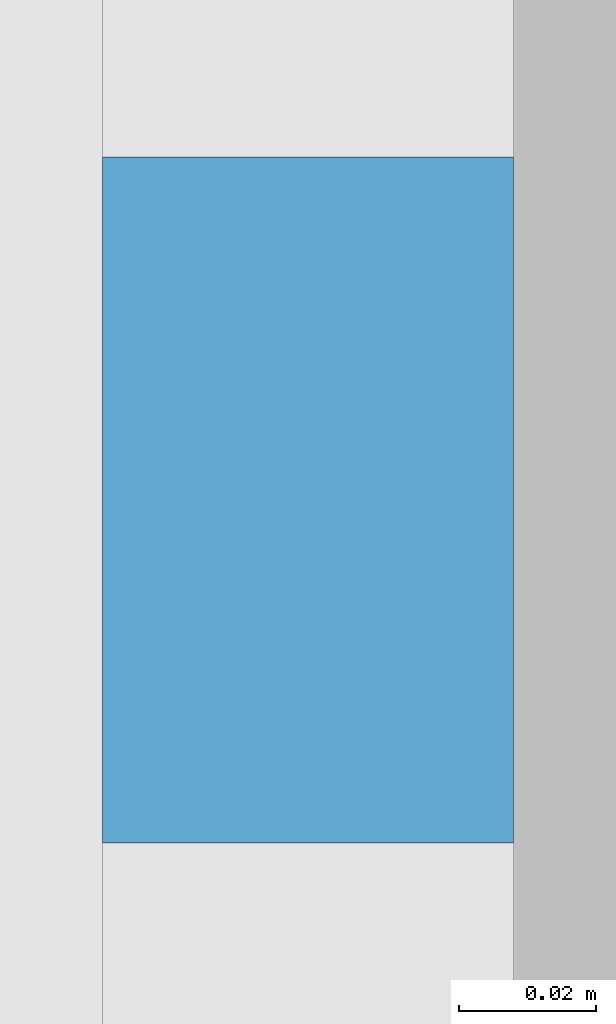
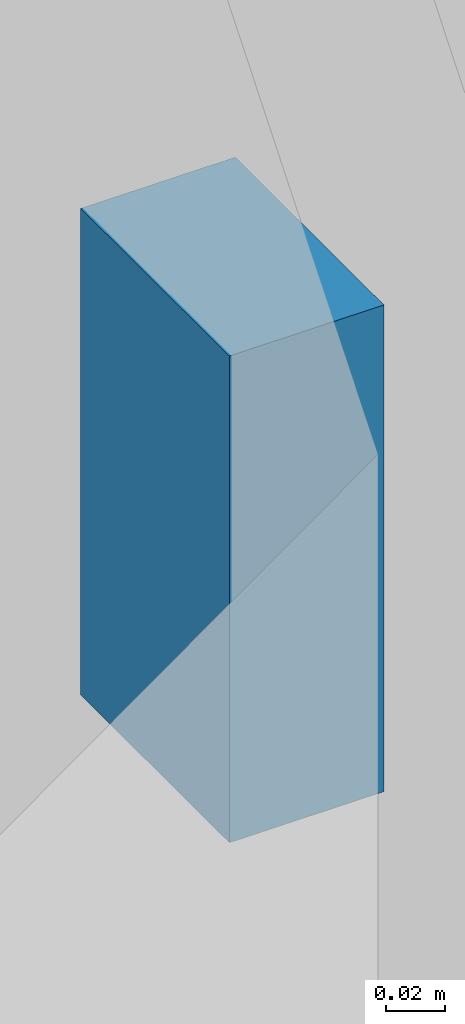
# One storey, part 7 of 12: 1 discrete accessory.
"""IFC4 building model written with IfcOpenShell, lengths in metres."""

from ifc_helpers import new_model, si_unit, direction, frame, origin, origin_2d, place, context, subcontext, project, spatial, rectangle, extrude, material, type_object, element, save


model = new_model("IFC4")

# Units and contexts
model_context = context("Model", 3, precision=1e-05, world=origin(), true_north=direction((0.0, 1.0)))
body_context = subcontext(model_context, "Body", "Model", "MODEL_VIEW")
ifc_project = project(units=[si_unit("LENGTHUNIT", "METRE"), si_unit("AREAUNIT", "SQUARE_METRE"), si_unit("VOLUMEUNIT", "CUBIC_METRE"), si_unit("PLANEANGLEUNIT", "RADIAN"), si_unit("MASSUNIT", "GRAM", prefix="KILO")], contexts=[model_context])

# Site, building, storey
site_placement = place(None, origin())
site = spatial("IfcSite", under=ifc_project, at=site_placement, CompositionType="ELEMENT")
building_placement = place(site_placement, origin())
building = spatial("IfcBuilding", under=site, at=building_placement, Name="Finial Court Residences", CompositionType="ELEMENT")
storey_placement = place(building_placement, frame((0.0, 0.0, 143.89990234375)))
storey = spatial("IfcBuildingStorey", under=building, at=storey_placement, Name="L35", CompositionType="ELEMENT", Elevation=143.89990234375)

# Discrete accessory
ifc_material = material(Name="Stainless steel 316", Category="steel")
discrete_accessory_type = type_object("IfcDiscreteAccessoryType", Name="Fin bracket, stainless steel 100 x 60 x 200", PredefinedType="BRACKET", material=ifc_material)
discrete_accessory_placement = place(storey_placement, frame((-25.530029296875, 1.5, 0.30029296875), z_axis=(0.0, 0.0, 1.0), x_axis=(1.0, 0.0, 0.0)))
element("IfcDiscreteAccessory", 1, at=discrete_accessory_placement, inside=storey, type_object=discrete_accessory_type, Name="E-L35-FIN-W29-BRK", PredefinedType="BRACKET", context=body_context, shape_type="SweptSolid", body=[
    extrude(rectangle(XDim=0.06005859375, YDim=0.10009765625, at=origin_2d()), origin(), (0.0, 0.0, 1.0), 0.199951171875),
])

save(model, "model.ifc")
